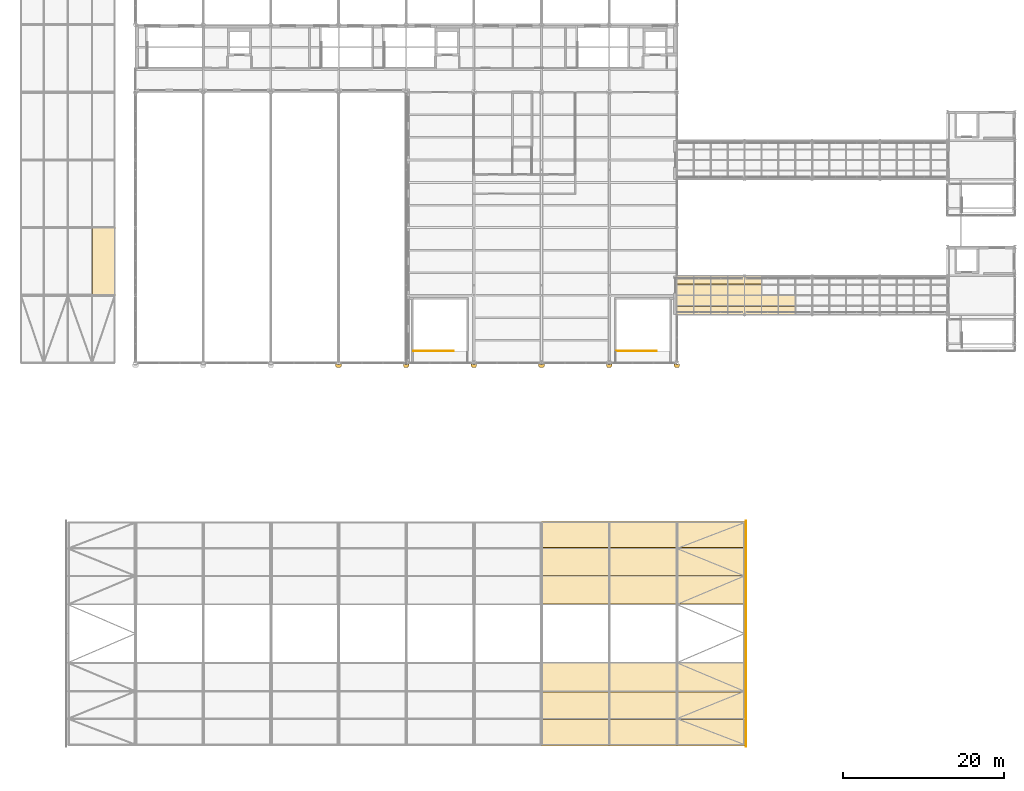
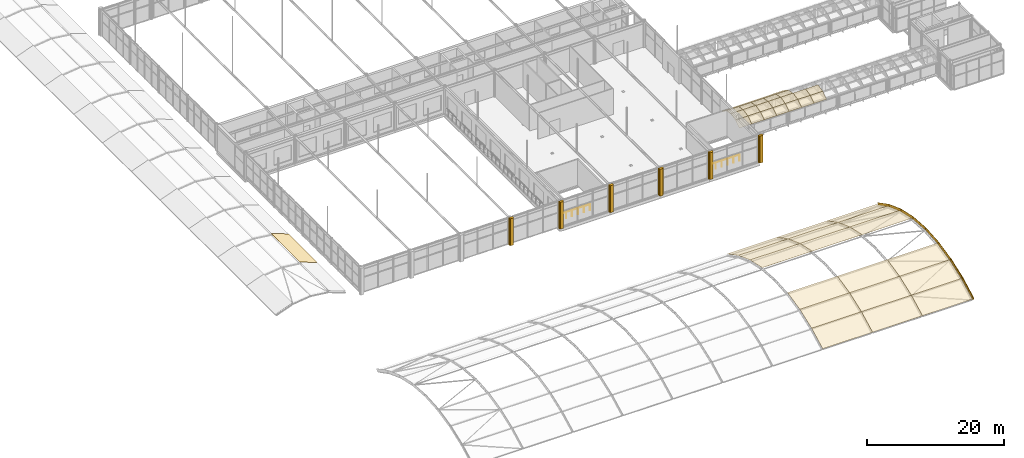
# One storey, part 159 of 167: 57 coverings, 2 railings.
"""IFC4 building model written with IfcOpenShell, lengths in metres."""

from ifc_helpers import new_model, si_unit, direction, frame, origin, origin_2d, place, context, subcontext, project, spatial, polyline, circle, outline, extrude, material, layer, layer_set, type_object, element, save


model = new_model("IFC4")

# Units and contexts
model_context = context("Model", 3, precision=1e-05, world=origin(), true_north=direction((0.0, 1.0)))
body_context = subcontext(model_context, "Body", "Model", "MODEL_VIEW")
ifc_project = project(units=[si_unit("LENGTHUNIT", "METRE"), si_unit("AREAUNIT", "SQUARE_METRE"), si_unit("VOLUMEUNIT", "CUBIC_METRE"), si_unit("PLANEANGLEUNIT", "RADIAN"), si_unit("MASSUNIT", "GRAM", prefix="KILO")], contexts=[model_context])

# Site, building, storey
site_placement = place(None, origin())
site = spatial("IfcSite", under=ifc_project, at=site_placement, CompositionType="ELEMENT")
building_placement = place(site_placement, origin())
building = spatial("IfcBuilding", under=site, at=building_placement, Name="Catenary Quay Ferry Terminal", CompositionType="ELEMENT")
storey_placement = place(building_placement, frame((0.0, 0.0, 6.0)))
storey = spatial("IfcBuildingStorey", under=building, at=storey_placement, Name="L01", CompositionType="ELEMENT", Elevation=6.0)

# Coverings
ifc_material_1 = material(Name="Pale glazed ceramic tile")
ifc_layer_1 = layer(ifc_material_1, 0.0400390625)
ifc_layer_set_1 = layer_set([ifc_layer_1], Name="AR1")
covering_type_1 = type_object("IfcCoveringType", Name="AR1", PredefinedType="CLADDING", material=ifc_layer_set_1)
covering_1_placement = place(storey_placement, frame((100.977783203125, 19.5634765625, 1.444091796875), z_axis=(-1.0, 0.0, 0.0), x_axis=(0.0, 0.88758305277, 0.460647722708)))
element("IfcCovering", 1, at=covering_1_placement, inside=storey, type_object=covering_type_1, Name="Archivolt band, canopy gable", PredefinedType="CLADDING", context=body_context, shape_type="SweptSolid", body=[
    extrude(outline(polyline([(0.0, 0.0), (3.6861097171876316, 0.0), (3.655203073889526, 0.4999765782632395), (0.027403624447268377, 0.4999822377870389), (0.0, 0.0)])), origin(), (0.0, 0.0, -1.0), 0.0400390625),
])
covering_2_placement = place(storey_placement, frame((100.977783203125, 22.835205078125, 3.14208984375), z_axis=(-1.0, 0.0, 0.0), x_axis=(0.0, 0.937648246664, 0.347585623305)))
element("IfcCovering", 2, at=covering_2_placement, inside=storey, type_object=covering_type_1, Name="Archivolt band, canopy gable", PredefinedType="CLADDING", context=body_context, shape_type="SweptSolid", body=[
    extrude(outline(polyline([(0.0, 0.0), (3.693166000492395, 0.0), (3.6590784856057024, 0.5000431261770513), (0.031033951088236644, 0.4999686923114553), (0.0, 0.0)])), origin(), (0.0, 0.0, -1.0), 0.0400390625),
])
covering_3_placement = place(storey_placement, frame((100.977783203125, 26.298095703125, 4.42578125), z_axis=(-1.0, 0.0, 0.0), x_axis=(0.0, 0.976196377469, 0.216888525785)))
element("IfcCovering", 3, at=covering_3_placement, inside=storey, type_object=covering_type_1, Name="Archivolt band, canopy gable", PredefinedType="CLADDING", context=body_context, shape_type="SweptSolid", body=[
    extrude(outline(polyline([(0.0, 0.0), (3.6988867476782334, 0.0), (3.6625501345111844, 0.5001173604067104), (0.034208151376554016, 0.5000348878703041), (0.0, 0.0)])), origin(), (0.0, 0.0, -1.0), 0.0400390625),
])
covering_4_placement = place(storey_placement, frame((100.977783203125, 29.908935546875, 5.22802734375), z_axis=(-1.0, 0.0, 0.0), x_axis=(0.0, 0.997267394493, 0.073876544866)))
element("IfcCovering", 4, at=covering_4_placement, inside=storey, type_object=covering_type_1, Name="Archivolt band, canopy gable", PredefinedType="CLADDING", context=body_context, shape_type="SweptSolid", body=[
    extrude(outline(polyline([(0.0, 0.0), (3.7012762372041283, 0.0), (3.664229747176011, 0.5000945381563455), (0.03614887983038596, 0.5001309649718116), (0.0, 0.0)])), origin(), (0.0, 0.0, -1.0), 0.0400390625),
])
covering_5_placement = place(storey_placement, frame((100.977783203125, 33.60009765625, 5.50146484375), z_axis=(-1.0, 0.0, 0.0), x_axis=(0.0, 0.997267034458, -0.073881404855)))
element("IfcCovering", 5, at=covering_5_placement, inside=storey, type_object=covering_type_1, Name="Archivolt band, canopy gable", PredefinedType="CLADDING", context=body_context, shape_type="SweptSolid", body=[
    extrude(outline(polyline([(0.0, 0.0), (3.701032763763093, 0.0), (3.6648863212244582, 0.5001311411304323), (0.03704892714148039, 0.5000943576115183), (0.0, 0.0)])), origin(), (0.0, 0.0, -1.0), 0.0400390625),
])
covering_6_placement = place(storey_placement, frame((100.977783203125, 37.291015625, 5.22802734375), z_axis=(-1.0, 0.0, 0.0), x_axis=(0.0, 0.976196377469, -0.216888525785)))
element("IfcCovering", 6, at=covering_6_placement, inside=storey, type_object=covering_type_1, Name="Archivolt band, canopy gable", PredefinedType="CLADDING", context=body_context, shape_type="SweptSolid", body=[
    extrude(outline(polyline([(0.0, 0.0), (3.6988867476782334, 0.0), (3.6646785963016795, 0.5000348878703041), (0.03633661316704927, 0.5001173604067104), (0.0, 0.0)])), origin(), (0.0, 0.0, -1.0), 0.0400390625),
])
covering_7_placement = place(storey_placement, frame((100.977783203125, 40.90185546875, 4.42578125), z_axis=(-1.0, 0.0, 0.0), x_axis=(0.0, 0.937648246664, -0.347585623305)))
element("IfcCovering", 7, at=covering_7_placement, inside=storey, type_object=covering_type_1, Name="Archivolt band, canopy gable", PredefinedType="CLADDING", context=body_context, shape_type="SweptSolid", body=[
    extrude(outline(polyline([(0.0, 0.0), (3.693166000492395, 0.0), (3.6623609674331297, 0.49988383254014046), (0.03408751488669301, 0.5000431261770513), (0.0, 0.0)])), origin(), (0.0, 0.0, -1.0), 0.0400390625),
])
covering_8_placement = place(storey_placement, frame((100.977783203125, 44.36474609375, 3.14208984375), z_axis=(-1.0, 0.0, 0.0), x_axis=(0.0, 0.887597105844, -0.460620644019)))
element("IfcCovering", 8, at=covering_8_placement, inside=storey, type_object=covering_type_1, Name="Archivolt band, canopy gable", PredefinedType="CLADDING", context=body_context, shape_type="SweptSolid", body=[
    extrude(outline(polyline([(0.0, 0.0), (3.6863264139843874, -2.220446049250313e-16), (3.6589075360406706, 0.4999814015217863), (0.031108088459351285, 0.4998650647216776), (0.0, 0.0)])), origin(), (0.0, 0.0, -1.0), 0.0400390625),
])
ifc_material_2 = material(Name="Ceramic tile")
ifc_layer_2 = layer(ifc_material_2, 0.0400390625)
ifc_layer_set_2 = layer_set([ifc_layer_2], Name="CL2")
covering_type_2 = type_object("IfcCoveringType", Name="CL2", PredefinedType="CLADDING", material=ifc_layer_set_2)
covering_9_placement = place(storey_placement, origin())
element("IfcCovering", 9, at=covering_9_placement, inside=storey, type_object=covering_type_2, Name="Ceramic pier casing", PredefinedType="CLADDING", context=body_context, shape_type="SweptSolid", body=[
    extrude(outline(polyline([(50.0458984375, 67.0458984375), (50.0458984375, 66.76611328125), (50.14599609375, 66.76611328125), (50.14599609375, 66.64599609375), (50.654052734375, 66.64599609375), (50.654052734375, 66.76611328125), (50.75390625, 66.76611328125), (50.75390625, 67.0458984375), (50.0458984375, 67.0458984375)])), origin(), (0.0, 0.0, 1.0), 4.800048828125),
])
covering_10_placement = place(storey_placement, origin())
element("IfcCovering", 10, at=covering_10_placement, inside=storey, type_object=covering_type_2, Name="Ceramic pier casing", PredefinedType="CLADDING", context=body_context, shape_type="SweptSolid", body=[
    extrude(outline(polyline([(58.446044921875, 67.0458984375), (58.446044921875, 66.76611328125), (58.5458984375, 66.76611328125), (58.5458984375, 66.64599609375), (59.053955078125, 66.64599609375), (59.053955078125, 66.76611328125), (59.154052734375, 66.76611328125), (59.154052734375, 67.0458984375), (58.446044921875, 67.0458984375)])), origin(), (0.0, 0.0, 1.0), 4.800048828125),
])
covering_11_placement = place(storey_placement, origin())
element("IfcCovering", 11, at=covering_11_placement, inside=storey, type_object=covering_type_2, Name="Ceramic pier casing", PredefinedType="CLADDING", context=body_context, shape_type="SweptSolid", body=[
    extrude(outline(polyline([(66.845947265625, 67.0458984375), (66.845947265625, 66.76611328125), (66.946044921875, 66.76611328125), (66.946044921875, 66.64599609375), (67.4541015625, 66.64599609375), (67.4541015625, 66.76611328125), (67.553955078125, 66.76611328125), (67.553955078125, 67.0458984375), (66.845947265625, 67.0458984375)])), origin(), (0.0, 0.0, 1.0), 4.800048828125),
])
covering_12_placement = place(storey_placement, origin())
element("IfcCovering", 12, at=covering_12_placement, inside=storey, type_object=covering_type_2, Name="Ceramic pier casing", PredefinedType="CLADDING", context=body_context, shape_type="SweptSolid", body=[
    extrude(outline(polyline([(75.24609375, 67.0458984375), (75.24609375, 66.76611328125), (75.345947265625, 66.76611328125), (75.345947265625, 66.64599609375), (75.85400390625, 66.64599609375), (75.85400390625, 66.76611328125), (75.9541015625, 66.76611328125), (75.9541015625, 67.0458984375), (75.24609375, 67.0458984375)])), origin(), (0.0, 0.0, 1.0), 4.800048828125),
])
covering_13_placement = place(storey_placement, origin())
element("IfcCovering", 13, at=covering_13_placement, inside=storey, type_object=covering_type_2, Name="Ceramic pier casing", PredefinedType="CLADDING", context=body_context, shape_type="SweptSolid", body=[
    extrude(outline(polyline([(83.64599609375, 67.0458984375), (83.64599609375, 66.76611328125), (83.74609375, 66.76611328125), (83.74609375, 66.64599609375), (84.25390625, 66.64599609375), (84.25390625, 66.76611328125), (84.35400390625, 66.76611328125), (84.35400390625, 67.0458984375), (83.64599609375, 67.0458984375)])), origin(), (0.0, 0.0, 1.0), 4.800048828125),
])
covering_14_placement = place(storey_placement, origin())
element("IfcCovering", 14, at=covering_14_placement, inside=storey, type_object=covering_type_2, Name="Ceramic pier casing", PredefinedType="CLADDING", context=body_context, shape_type="SweptSolid", body=[
    extrude(outline(polyline([(92.0458984375, 67.0458984375), (92.0458984375, 66.76611328125), (92.14599609375, 66.76611328125), (92.14599609375, 66.64599609375), (92.654052734375, 66.64599609375), (92.654052734375, 66.76611328125), (92.75390625, 66.76611328125), (92.75390625, 67.0458984375), (92.0458984375, 67.0458984375)])), origin(), (0.0, 0.0, 1.0), 4.800048828125),
])

# Railings
ifc_material_3 = material(Name="Steel and glass", Category="steel")
railing_type = type_object("IfcRailingType", Name="GI1", PredefinedType="GUARDRAIL", material=ifc_material_3)
for number, where, name in (
    (15, (84.89990234375, 68.699951171875, 0.0), "TS5 well guard GI319"),
    (16, (59.699951171875, 68.699951171875, 0.0), "TS6 well guard GI329"),
):
    element("IfcRailing", number, at=place(storey_placement, frame(where)), inside=storey, type_object=railing_type, Name=name, PredefinedType="GUARDRAIL", context=body_context, shape_type="SweptSolid", body=[
        extrude(circle(Radius=0.02392578125, at=origin_2d()), frame((0.0, 0.0, 1.076171875), z_axis=(1.0, 0.0, 0.0), x_axis=(0.0, 1.0, 0.0)), (0.0, 0.0, 1.0), 5.0),
        extrude(circle(Radius=0.02099609375, at=origin_2d()), origin(), (0.0, 0.0, 1.0), 1.052001953125),
        extrude(circle(Radius=0.02099609375, at=origin_2d()), frame((1.0, 0.0, 0.0)), (0.0, 0.0, 1.0), 1.052001953125),
        extrude(circle(Radius=0.02099609375, at=origin_2d()), frame((2.0, 0.0, 0.0)), (0.0, 0.0, 1.0), 1.052001953125),
        extrude(circle(Radius=0.02099609375, at=origin_2d()), frame((3.0, 0.0, 0.0)), (0.0, 0.0, 1.0), 1.052001953125),
        extrude(circle(Radius=0.02099609375, at=origin_2d()), frame((4.0, 0.0, 0.0)), (0.0, 0.0, 1.0), 1.052001953125),
        extrude(circle(Radius=0.02099609375, at=origin_2d()), frame((5.0, 0.0, 0.0)), (0.0, 0.0, 1.0), 1.052001953125),
    ])

# Coverings
ifc_material_4 = material(Name="Laminated glass", Category="glass")
ifc_layer_3 = layer(ifc_material_4, 0.030029296875)
ifc_layer_set_3 = layer_set([ifc_layer_3], Name="RF2")
covering_type_3 = type_object("IfcCoveringType", Name="RF2", PredefinedType="ROOFING", material=ifc_layer_set_3)
covering_15_placement = place(storey_placement, frame((75.60009765625, 19.666259765625, 1.269775390625), z_axis=(0.0, -0.460601208627, 0.887607191618), x_axis=(1.0, 0.0, 0.0)))
element("IfcCovering", 17, at=covering_15_placement, inside=storey, type_object=covering_type_3, Name="Vehicle Deck canopy roof", PredefinedType="ROOFING", context=body_context, shape_type="SweptSolid", body=[
    extrude(outline(polyline([(0.0, 0.0), (8.39990234375, 0.0), (8.39990234375, 3.662629813279544), (0.0, 3.662629813279544), (0.0, 0.0)])), origin(), (0.0, 0.0, -1.0), 0.03369140625),
])
covering_16_placement = place(storey_placement, frame((75.60009765625, 22.917236328125, 2.956787109375), z_axis=(0.0, -0.347531183099, 0.937668425817), x_axis=(1.0, 0.0, 0.0)))
element("IfcCovering", 18, at=covering_16_placement, inside=storey, type_object=covering_type_3, Name="Vehicle Deck canopy roof", PredefinedType="ROOFING", context=body_context, shape_type="SweptSolid", body=[
    extrude(outline(polyline([(0.0, 0.0), (8.39990234375, 0.0), (8.39990234375, 3.667049532466063), (0.0, 3.667049532466063), (0.0, 0.0)])), origin(), (0.0, 0.0, -1.0), 0.031982421875),
])
covering_17_placement = place(storey_placement, frame((75.60009765625, 26.355712890625, 4.231201171875), z_axis=(0.0, -0.216923414464, 0.976188625347), x_axis=(1.0, 0.0, 0.0)))
element("IfcCovering", 19, at=covering_17_placement, inside=storey, type_object=covering_type_3, Name="Vehicle Deck canopy roof", PredefinedType="ROOFING", context=body_context, shape_type="SweptSolid", body=[
    extrude(outline(polyline([(0.0, 0.0), (8.39990234375, 0.0), (8.39990234375, 3.670155110238633), (0.0, 3.670155110238633), (0.0, 0.0)])), origin(), (0.0, 0.0, -1.0), 0.03076171875),
])
covering_18_placement = place(storey_placement, frame((75.60009765625, 37.261474609375, 5.02734375), z_axis=(0.0, 0.216909329092, 0.976191755216), x_axis=(1.0, 0.0, 0.0)))
element("IfcCovering", 20, at=covering_18_placement, inside=storey, type_object=covering_type_3, Name="Vehicle Deck canopy roof", PredefinedType="ROOFING", context=body_context, shape_type="SweptSolid", body=[
    extrude(outline(polyline([(0.0, 0.0), (8.39990234375, 0.0), (8.39990234375, 3.67039343792182), (0.0, 3.67039343792182), (0.0, 0.0)])), origin(), (0.0, 0.0, -1.0), 0.03076171875),
])
covering_19_placement = place(storey_placement, frame((75.60009765625, 40.844482421875, 4.231201171875), z_axis=(0.0, 0.347552879695, 0.93766038405), x_axis=(1.0, 0.0, 0.0)))
element("IfcCovering", 21, at=covering_19_placement, inside=storey, type_object=covering_type_3, Name="Vehicle Deck canopy roof", PredefinedType="ROOFING", context=body_context, shape_type="SweptSolid", body=[
    extrude(outline(polyline([(0.0, 0.0), (8.39990234375, 0.0), (8.39990234375, 3.666820610492172), (0.0, 3.666820610492172), (0.0, 0.0)])), origin(), (0.0, 0.0, -1.0), 0.031982421875),
])
for number, where, z_axis, x_axis, name in (
    (22, (75.60009765625, 44.28271484375, 2.956787109375), (0.0, 0.460601208627, 0.887607191618), (1.0, 0.0, 0.0), "Vehicle Deck canopy roof"),
    (23, (84.0, 19.666259765625, 1.269775390625), (0.0, -0.460601208627, 0.887607191618), (1.0, 0.0, 0.0), "Vehicle Deck canopy roof"),
):
    element("IfcCovering", number, at=place(storey_placement, frame(where, z_axis=z_axis, x_axis=x_axis)), inside=storey, type_object=covering_type_3, Name=name, PredefinedType="ROOFING", context=body_context, shape_type="SweptSolid", body=[
        extrude(outline(polyline([(0.0, 0.0), (8.39990234375, 0.0), (8.39990234375, 3.662629813279544), (0.0, 3.662629813279544), (0.0, 0.0)])), origin(), (0.0, 0.0, -1.0), 0.03369140625),
    ])
covering_20_placement = place(storey_placement, frame((84.0, 22.917236328125, 2.956787109375), z_axis=(0.0, -0.347531183099, 0.937668425817), x_axis=(1.0, 0.0, 0.0)))
element("IfcCovering", 24, at=covering_20_placement, inside=storey, type_object=covering_type_3, Name="Vehicle Deck canopy roof", PredefinedType="ROOFING", context=body_context, shape_type="SweptSolid", body=[
    extrude(outline(polyline([(0.0, 0.0), (8.39990234375, 0.0), (8.39990234375, 3.667049532466063), (0.0, 3.667049532466063), (0.0, 0.0)])), origin(), (0.0, 0.0, -1.0), 0.031982421875),
])
covering_21_placement = place(storey_placement, frame((84.0, 26.355712890625, 4.231201171875), z_axis=(0.0, -0.216923414464, 0.976188625347), x_axis=(1.0, 0.0, 0.0)))
element("IfcCovering", 25, at=covering_21_placement, inside=storey, type_object=covering_type_3, Name="Vehicle Deck canopy roof", PredefinedType="ROOFING", context=body_context, shape_type="SweptSolid", body=[
    extrude(outline(polyline([(0.0, 0.0), (8.39990234375, 0.0), (8.39990234375, 3.670155110238633), (0.0, 3.670155110238633), (0.0, 0.0)])), origin(), (0.0, 0.0, -1.0), 0.03076171875),
])
covering_22_placement = place(storey_placement, frame((84.0, 37.261474609375, 5.02734375), z_axis=(0.0, 0.216909329092, 0.976191755216), x_axis=(1.0, 0.0, 0.0)))
element("IfcCovering", 26, at=covering_22_placement, inside=storey, type_object=covering_type_3, Name="Vehicle Deck canopy roof", PredefinedType="ROOFING", context=body_context, shape_type="SweptSolid", body=[
    extrude(outline(polyline([(0.0, 0.0), (8.39990234375, 0.0), (8.39990234375, 3.67039343792182), (0.0, 3.67039343792182), (0.0, 0.0)])), origin(), (0.0, 0.0, -1.0), 0.03076171875),
])
covering_23_placement = place(storey_placement, frame((84.0, 40.844482421875, 4.231201171875), z_axis=(0.0, 0.347552879695, 0.93766038405), x_axis=(1.0, 0.0, 0.0)))
element("IfcCovering", 27, at=covering_23_placement, inside=storey, type_object=covering_type_3, Name="Vehicle Deck canopy roof", PredefinedType="ROOFING", context=body_context, shape_type="SweptSolid", body=[
    extrude(outline(polyline([(0.0, 0.0), (8.39990234375, 0.0), (8.39990234375, 3.666820610492172), (0.0, 3.666820610492172), (0.0, 0.0)])), origin(), (0.0, 0.0, -1.0), 0.031982421875),
])
covering_24_placement = place(storey_placement, frame((84.0, 44.28271484375, 2.956787109375), z_axis=(0.0, 0.460601208627, 0.887607191618), x_axis=(1.0, 0.0, 0.0)))
element("IfcCovering", 28, at=covering_24_placement, inside=storey, type_object=covering_type_3, Name="Vehicle Deck canopy roof", PredefinedType="ROOFING", context=body_context, shape_type="SweptSolid", body=[
    extrude(outline(polyline([(0.0, 0.0), (8.39990234375, 0.0), (8.39990234375, 3.662629813279544), (0.0, 3.662629813279544), (0.0, 0.0)])), origin(), (0.0, 0.0, -1.0), 0.03369140625),
])
covering_25_placement = place(storey_placement, frame((92.39990234375, 19.666259765625, 1.269775390625), z_axis=(0.0, -0.460601208627, 0.887607191618), x_axis=(1.0, 0.0, 0.0)))
element("IfcCovering", 29, at=covering_25_placement, inside=storey, type_object=covering_type_3, Name="Vehicle Deck canopy roof", PredefinedType="ROOFING", context=body_context, shape_type="SweptSolid", body=[
    extrude(outline(polyline([(0.0, 0.0), (8.400146484375, 0.0), (8.400146484375, 3.662629813279544), (0.0, 3.662629813279544), (0.0, 0.0)])), origin(), (0.0, 0.0, -1.0), 0.03369140625),
])
covering_26_placement = place(storey_placement, frame((92.39990234375, 22.917236328125, 2.956787109375), z_axis=(0.0, -0.347531183099, 0.937668425817), x_axis=(1.0, 0.0, 0.0)))
element("IfcCovering", 30, at=covering_26_placement, inside=storey, type_object=covering_type_3, Name="Vehicle Deck canopy roof", PredefinedType="ROOFING", context=body_context, shape_type="SweptSolid", body=[
    extrude(outline(polyline([(0.0, 0.0), (8.400146484375, 0.0), (8.400146484375, 3.6670495324660632), (0.0, 3.6670495324660632), (0.0, 0.0)])), origin(), (0.0, 0.0, -1.0), 0.031982421875),
])
covering_27_placement = place(storey_placement, frame((92.39990234375, 26.355712890625, 4.231201171875), z_axis=(0.0, -0.216923414464, 0.976188625347), x_axis=(1.0, 0.0, 0.0)))
element("IfcCovering", 31, at=covering_27_placement, inside=storey, type_object=covering_type_3, Name="Vehicle Deck canopy roof", PredefinedType="ROOFING", context=body_context, shape_type="SweptSolid", body=[
    extrude(outline(polyline([(0.0, 0.0), (8.400146484375, 0.0), (8.400146484375, 3.6701551102386327), (0.0, 3.6701551102386327), (0.0, 0.0)])), origin(), (0.0, 0.0, -1.0), 0.03076171875),
])
covering_28_placement = place(storey_placement, frame((92.39990234375, 37.261474609375, 5.02734375), z_axis=(0.0, 0.216909329092, 0.976191755216), x_axis=(1.0, 0.0, 0.0)))
element("IfcCovering", 32, at=covering_28_placement, inside=storey, type_object=covering_type_3, Name="Vehicle Deck canopy roof", PredefinedType="ROOFING", context=body_context, shape_type="SweptSolid", body=[
    extrude(outline(polyline([(0.0, 0.0), (8.400146484375, 0.0), (8.400146484375, 3.67039343792182), (0.0, 3.67039343792182), (0.0, 0.0)])), origin(), (0.0, 0.0, -1.0), 0.03076171875),
])
covering_29_placement = place(storey_placement, frame((92.39990234375, 40.844482421875, 4.231201171875), z_axis=(0.0, 0.347552879695, 0.93766038405), x_axis=(1.0, 0.0, 0.0)))
element("IfcCovering", 33, at=covering_29_placement, inside=storey, type_object=covering_type_3, Name="Vehicle Deck canopy roof", PredefinedType="ROOFING", context=body_context, shape_type="SweptSolid", body=[
    extrude(outline(polyline([(0.0, 0.0), (8.400146484375, 0.0), (8.400146484375, 3.666820610492172), (0.0, 3.666820610492172), (0.0, 0.0)])), origin(), (0.0, 0.0, -1.0), 0.031982421875),
])
covering_30_placement = place(storey_placement, frame((92.39990234375, 44.28271484375, 2.956787109375), z_axis=(0.0, 0.460601208627, 0.887607191618), x_axis=(1.0, 0.0, 0.0)))
element("IfcCovering", 34, at=covering_30_placement, inside=storey, type_object=covering_type_3, Name="Vehicle Deck canopy roof", PredefinedType="ROOFING", context=body_context, shape_type="SweptSolid", body=[
    extrude(outline(polyline([(0.0, 0.0), (8.400146484375, 0.0), (8.400146484375, 3.662629813279544), (0.0, 3.662629813279544), (0.0, 0.0)])), origin(), (0.0, 0.0, -1.0), 0.03369140625),
])
covering_31_placement = place(storey_placement, frame((19.85791015625, 75.60009765625, 2.281982421875), z_axis=(0.346768604163, 0.0, 0.937950710414), x_axis=(0.0, 1.0, 0.0)))
element("IfcCovering", 35, at=covering_31_placement, inside=storey, type_object=covering_type_3, Name="Forecourt canopy roof", PredefinedType="ROOFING", context=body_context, shape_type="SweptSolid", body=[
    extrude(outline(polyline([(0.0, 0.0), (8.39990234375, 0.0), (8.39990234375, -3.0745635463365493), (0.0, -3.0745635463365493), (0.0, 0.0)])), origin(), (0.0, 0.0, -1.0), 0.031982421875),
])
covering_32_placement = place(storey_placement, frame((92.39990234375, 73.088623046875, 2.27099609375), z_axis=(0.0, -0.5454678985, 0.83813171501), x_axis=(1.0, 0.0, 0.0)))
element("IfcCovering", 36, at=covering_32_placement, inside=storey, type_object=covering_type_3, Name="Boarding Bridge 1 roof", PredefinedType="ROOFING", context=body_context, shape_type="SweptSolid", body=[
    extrude(outline(polyline([(0.0, 0.0), (2.10009765625, 0.0), (2.10009765625, 1.359748613601261), (0.0, 1.359748613601261), (0.0, 0.0)])), origin(), (0.0, 0.0, -1.0), 0.035888671875),
])
covering_33_placement = place(storey_placement, frame((92.39990234375, 74.228271484375, 3.0126953125), z_axis=(0.0, -0.211013874249, 0.977483066285), x_axis=(1.0, 0.0, 0.0)))
element("IfcCovering", 37, at=covering_33_placement, inside=storey, type_object=covering_type_3, Name="Boarding Bridge 1 roof", PredefinedType="ROOFING", context=body_context, shape_type="SweptSolid", body=[
    extrude(outline(polyline([(0.0, 0.0), (2.10009765625, 0.0), (2.10009765625, 1.4034270456349835), (0.0, 1.4034270456349835), (0.0, 0.0)])), origin(), (0.0, 0.0, -1.0), 0.03076171875),
])
covering_34_placement = place(storey_placement, frame((92.39990234375, 75.60009765625, 3.308837890625), z_axis=(0.0, 0.211049761699, 0.977475318403), x_axis=(1.0, 0.0, 0.0)))
element("IfcCovering", 38, at=covering_34_placement, inside=storey, type_object=covering_type_3, Name="Boarding Bridge 1 roof", PredefinedType="ROOFING", context=body_context, shape_type="SweptSolid", body=[
    extrude(outline(polyline([(0.0, 0.0), (2.10009765625, 0.0), (2.10009765625, 1.4031884032539599), (0.0, 1.4031884032539599), (0.0, 0.0)])), origin(), (0.0, 0.0, -1.0), 0.03076171875),
])
for number, where, z_axis, x_axis, name in (
    (39, (92.39990234375, 76.9716796875, 3.0126953125), (0.0, 0.5454678985, 0.83813171501), (1.0, 0.0, 0.0), "Boarding Bridge 1 roof"),
    (40, (94.5, 73.088623046875, 2.27099609375), (0.0, -0.5454678985, 0.83813171501), (1.0, 0.0, 0.0), "Boarding Bridge 1 roof"),
):
    element("IfcCovering", number, at=place(storey_placement, frame(where, z_axis=z_axis, x_axis=x_axis)), inside=storey, type_object=covering_type_3, Name=name, PredefinedType="ROOFING", context=body_context, shape_type="SweptSolid", body=[
        extrude(outline(polyline([(0.0, 0.0), (2.10009765625, 0.0), (2.10009765625, 1.359748613601261), (0.0, 1.359748613601261), (0.0, 0.0)])), origin(), (0.0, 0.0, -1.0), 0.035888671875),
    ])
covering_35_placement = place(storey_placement, frame((94.5, 74.228271484375, 3.0126953125), z_axis=(0.0, -0.211013874249, 0.977483066285), x_axis=(1.0, 0.0, 0.0)))
element("IfcCovering", 41, at=covering_35_placement, inside=storey, type_object=covering_type_3, Name="Boarding Bridge 1 roof", PredefinedType="ROOFING", context=body_context, shape_type="SweptSolid", body=[
    extrude(outline(polyline([(0.0, 0.0), (2.10009765625, 0.0), (2.10009765625, 1.4034270456349835), (0.0, 1.4034270456349835), (0.0, 0.0)])), origin(), (0.0, 0.0, -1.0), 0.03076171875),
])
covering_36_placement = place(storey_placement, frame((94.5, 75.60009765625, 3.308837890625), z_axis=(0.0, 0.211049761699, 0.977475318403), x_axis=(1.0, 0.0, 0.0)))
element("IfcCovering", 42, at=covering_36_placement, inside=storey, type_object=covering_type_3, Name="Boarding Bridge 1 roof", PredefinedType="ROOFING", context=body_context, shape_type="SweptSolid", body=[
    extrude(outline(polyline([(0.0, 0.0), (2.10009765625, 0.0), (2.10009765625, 1.4031884032539599), (0.0, 1.4031884032539599), (0.0, 0.0)])), origin(), (0.0, 0.0, -1.0), 0.03076171875),
])
covering_37_placement = place(storey_placement, frame((94.5, 76.9716796875, 3.0126953125), z_axis=(0.0, 0.5454678985, 0.83813171501), x_axis=(1.0, 0.0, 0.0)))
element("IfcCovering", 43, at=covering_37_placement, inside=storey, type_object=covering_type_3, Name="Boarding Bridge 1 roof", PredefinedType="ROOFING", context=body_context, shape_type="SweptSolid", body=[
    extrude(outline(polyline([(0.0, 0.0), (2.10009765625, 0.0), (2.10009765625, 1.359748613601261), (0.0, 1.359748613601261), (0.0, 0.0)])), origin(), (0.0, 0.0, -1.0), 0.035888671875),
])
covering_38_placement = place(storey_placement, frame((96.60009765625, 73.088623046875, 2.27099609375), z_axis=(0.0, -0.5454678985, 0.83813171501), x_axis=(1.0, 0.0, 0.0)))
element("IfcCovering", 44, at=covering_38_placement, inside=storey, type_object=covering_type_3, Name="Boarding Bridge 1 roof", PredefinedType="ROOFING", context=body_context, shape_type="SweptSolid", body=[
    extrude(outline(polyline([(0.0, 0.0), (2.099853515625, 0.0), (2.099853515625, 1.359748613601261), (0.0, 1.359748613601261), (0.0, 0.0)])), origin(), (0.0, 0.0, -1.0), 0.035888671875),
])
covering_39_placement = place(storey_placement, frame((96.60009765625, 74.228271484375, 3.0126953125), z_axis=(0.0, -0.211013874249, 0.977483066285), x_axis=(1.0, 0.0, 0.0)))
element("IfcCovering", 45, at=covering_39_placement, inside=storey, type_object=covering_type_3, Name="Boarding Bridge 1 roof", PredefinedType="ROOFING", context=body_context, shape_type="SweptSolid", body=[
    extrude(outline(polyline([(0.0, 0.0), (2.099853515625, 0.0), (2.099853515625, 1.4034270456349838), (0.0, 1.4034270456349838), (0.0, 0.0)])), origin(), (0.0, 0.0, -1.0), 0.03076171875),
])
covering_40_placement = place(storey_placement, frame((96.60009765625, 75.60009765625, 3.308837890625), z_axis=(0.0, 0.211049761699, 0.977475318403), x_axis=(1.0, 0.0, 0.0)))
element("IfcCovering", 46, at=covering_40_placement, inside=storey, type_object=covering_type_3, Name="Boarding Bridge 1 roof", PredefinedType="ROOFING", context=body_context, shape_type="SweptSolid", body=[
    extrude(outline(polyline([(0.0, 0.0), (2.099853515625, 0.0), (2.099853515625, 1.4031884032539599), (0.0, 1.4031884032539599), (0.0, 0.0)])), origin(), (0.0, 0.0, -1.0), 0.03076171875),
])
covering_41_placement = place(storey_placement, frame((96.60009765625, 76.9716796875, 3.0126953125), z_axis=(0.0, 0.5454678985, 0.83813171501), x_axis=(1.0, 0.0, 0.0)))
element("IfcCovering", 47, at=covering_41_placement, inside=storey, type_object=covering_type_3, Name="Boarding Bridge 1 roof", PredefinedType="ROOFING", context=body_context, shape_type="SweptSolid", body=[
    extrude(outline(polyline([(0.0, 0.0), (2.099853515625, 0.0), (2.099853515625, 1.359748613601261), (0.0, 1.359748613601261), (0.0, 0.0)])), origin(), (0.0, 0.0, -1.0), 0.035888671875),
])
covering_42_placement = place(storey_placement, frame((98.699951171875, 73.088623046875, 2.27099609375), z_axis=(0.0, -0.5454678985, 0.83813171501), x_axis=(1.0, 0.0, 0.0)))
element("IfcCovering", 48, at=covering_42_placement, inside=storey, type_object=covering_type_3, Name="Boarding Bridge 1 roof", PredefinedType="ROOFING", context=body_context, shape_type="SweptSolid", body=[
    extrude(outline(polyline([(0.0, 0.0), (2.10009765625, 0.0), (2.10009765625, 1.359748613601261), (0.0, 1.359748613601261), (0.0, 0.0)])), origin(), (0.0, 0.0, -1.0), 0.035888671875),
])
covering_43_placement = place(storey_placement, frame((98.699951171875, 74.228271484375, 3.0126953125), z_axis=(0.0, -0.211013874249, 0.977483066285), x_axis=(1.0, 0.0, 0.0)))
element("IfcCovering", 49, at=covering_43_placement, inside=storey, type_object=covering_type_3, Name="Boarding Bridge 1 roof", PredefinedType="ROOFING", context=body_context, shape_type="SweptSolid", body=[
    extrude(outline(polyline([(0.0, 0.0), (2.10009765625, 0.0), (2.10009765625, 1.4034270456349835), (0.0, 1.4034270456349835), (0.0, 0.0)])), origin(), (0.0, 0.0, -1.0), 0.03076171875),
])
covering_44_placement = place(storey_placement, frame((98.699951171875, 75.60009765625, 3.308837890625), z_axis=(0.0, 0.211049761699, 0.977475318403), x_axis=(1.0, 0.0, 0.0)))
element("IfcCovering", 50, at=covering_44_placement, inside=storey, type_object=covering_type_3, Name="Boarding Bridge 1 roof", PredefinedType="ROOFING", context=body_context, shape_type="SweptSolid", body=[
    extrude(outline(polyline([(0.0, 0.0), (2.10009765625, 0.0), (2.10009765625, 1.4031884032539599), (0.0, 1.4031884032539599), (0.0, 0.0)])), origin(), (0.0, 0.0, -1.0), 0.03076171875),
])
covering_45_placement = place(storey_placement, frame((98.699951171875, 76.9716796875, 3.0126953125), z_axis=(0.0, 0.5454678985, 0.83813171501), x_axis=(1.0, 0.0, 0.0)))
element("IfcCovering", 51, at=covering_45_placement, inside=storey, type_object=covering_type_3, Name="Boarding Bridge 1 roof", PredefinedType="ROOFING", context=body_context, shape_type="SweptSolid", body=[
    extrude(outline(polyline([(0.0, 0.0), (2.10009765625, 0.0), (2.10009765625, 1.359748613601261), (0.0, 1.359748613601261), (0.0, 0.0)])), origin(), (0.0, 0.0, -1.0), 0.035888671875),
])
covering_46_placement = place(storey_placement, frame((100.800048828125, 73.088623046875, 2.27099609375), z_axis=(0.0, -0.5454678985, 0.83813171501), x_axis=(1.0, 0.0, 0.0)))
element("IfcCovering", 52, at=covering_46_placement, inside=storey, type_object=covering_type_3, Name="Boarding Bridge 1 roof", PredefinedType="ROOFING", context=body_context, shape_type="SweptSolid", body=[
    extrude(outline(polyline([(0.0, 0.0), (2.099853515625, 0.0), (2.099853515625, 1.359748613601261), (0.0, 1.359748613601261), (0.0, 0.0)])), origin(), (0.0, 0.0, -1.0), 0.035888671875),
])
covering_47_placement = place(storey_placement, frame((100.800048828125, 74.228271484375, 3.0126953125), z_axis=(0.0, -0.211013874249, 0.977483066285), x_axis=(1.0, 0.0, 0.0)))
element("IfcCovering", 53, at=covering_47_placement, inside=storey, type_object=covering_type_3, Name="Boarding Bridge 1 roof", PredefinedType="ROOFING", context=body_context, shape_type="SweptSolid", body=[
    extrude(outline(polyline([(0.0, 0.0), (2.099853515625, 0.0), (2.099853515625, 1.4034270456349838), (0.0, 1.4034270456349838), (0.0, 0.0)])), origin(), (0.0, 0.0, -1.0), 0.03076171875),
])
covering_48_placement = place(storey_placement, frame((100.800048828125, 75.60009765625, 3.308837890625), z_axis=(0.0, 0.211049761699, 0.977475318403), x_axis=(1.0, 0.0, 0.0)))
element("IfcCovering", 54, at=covering_48_placement, inside=storey, type_object=covering_type_3, Name="Boarding Bridge 1 roof", PredefinedType="ROOFING", context=body_context, shape_type="SweptSolid", body=[
    extrude(outline(polyline([(0.0, 0.0), (2.099853515625, 0.0), (2.099853515625, 1.4031884032539599), (0.0, 1.4031884032539599), (0.0, 0.0)])), origin(), (0.0, 0.0, -1.0), 0.03076171875),
])
covering_49_placement = place(storey_placement, frame((100.800048828125, 76.9716796875, 3.0126953125), z_axis=(0.0, 0.5454678985, 0.83813171501), x_axis=(1.0, 0.0, 0.0)))
element("IfcCovering", 55, at=covering_49_placement, inside=storey, type_object=covering_type_3, Name="Boarding Bridge 1 roof", PredefinedType="ROOFING", context=body_context, shape_type="SweptSolid", body=[
    extrude(outline(polyline([(0.0, 0.0), (2.099853515625, 0.0), (2.099853515625, 1.359748613601261), (0.0, 1.359748613601261), (0.0, 0.0)])), origin(), (0.0, 0.0, -1.0), 0.035888671875),
])
covering_50_placement = place(storey_placement, frame((102.89990234375, 73.088623046875, 2.27099609375), z_axis=(0.0, -0.5454678985, 0.83813171501), x_axis=(1.0, 0.0, 0.0)))
element("IfcCovering", 56, at=covering_50_placement, inside=storey, type_object=covering_type_3, Name="Boarding Bridge 1 roof", PredefinedType="ROOFING", context=body_context, shape_type="SweptSolid", body=[
    extrude(outline(polyline([(0.0, 0.0), (2.10009765625, 0.0), (2.10009765625, 1.359748613601261), (0.0, 1.359748613601261), (0.0, 0.0)])), origin(), (0.0, 0.0, -1.0), 0.035888671875),
])
covering_51_placement = place(storey_placement, frame((102.89990234375, 74.228271484375, 3.0126953125), z_axis=(0.0, -0.211013874249, 0.977483066285), x_axis=(1.0, 0.0, 0.0)))
element("IfcCovering", 57, at=covering_51_placement, inside=storey, type_object=covering_type_3, Name="Boarding Bridge 1 roof", PredefinedType="ROOFING", context=body_context, shape_type="SweptSolid", body=[
    extrude(outline(polyline([(0.0, 0.0), (2.10009765625, 0.0), (2.10009765625, 1.4034270456349835), (0.0, 1.4034270456349835), (0.0, 0.0)])), origin(), (0.0, 0.0, -1.0), 0.03076171875),
])
covering_52_placement = place(storey_placement, frame((105.0, 73.088623046875, 2.27099609375), z_axis=(0.0, -0.5454678985, 0.83813171501), x_axis=(1.0, 0.0, 0.0)))
element("IfcCovering", 58, at=covering_52_placement, inside=storey, type_object=covering_type_3, Name="Boarding Bridge 1 roof", PredefinedType="ROOFING", context=body_context, shape_type="SweptSolid", body=[
    extrude(outline(polyline([(0.0, 0.0), (2.10009765625, 0.0), (2.10009765625, 1.359748613601261), (0.0, 1.359748613601261), (0.0, 0.0)])), origin(), (0.0, 0.0, -1.0), 0.035888671875),
])
covering_53_placement = place(storey_placement, frame((105.0, 74.228271484375, 3.0126953125), z_axis=(0.0, -0.211013874249, 0.977483066285), x_axis=(1.0, 0.0, 0.0)))
element("IfcCovering", 59, at=covering_53_placement, inside=storey, type_object=covering_type_3, Name="Boarding Bridge 1 roof", PredefinedType="ROOFING", context=body_context, shape_type="SweptSolid", body=[
    extrude(outline(polyline([(0.0, 0.0), (2.10009765625, 0.0), (2.10009765625, 1.4034270456349835), (0.0, 1.4034270456349835), (0.0, 0.0)])), origin(), (0.0, 0.0, -1.0), 0.03076171875),
])

save(model, "model.ifc")
